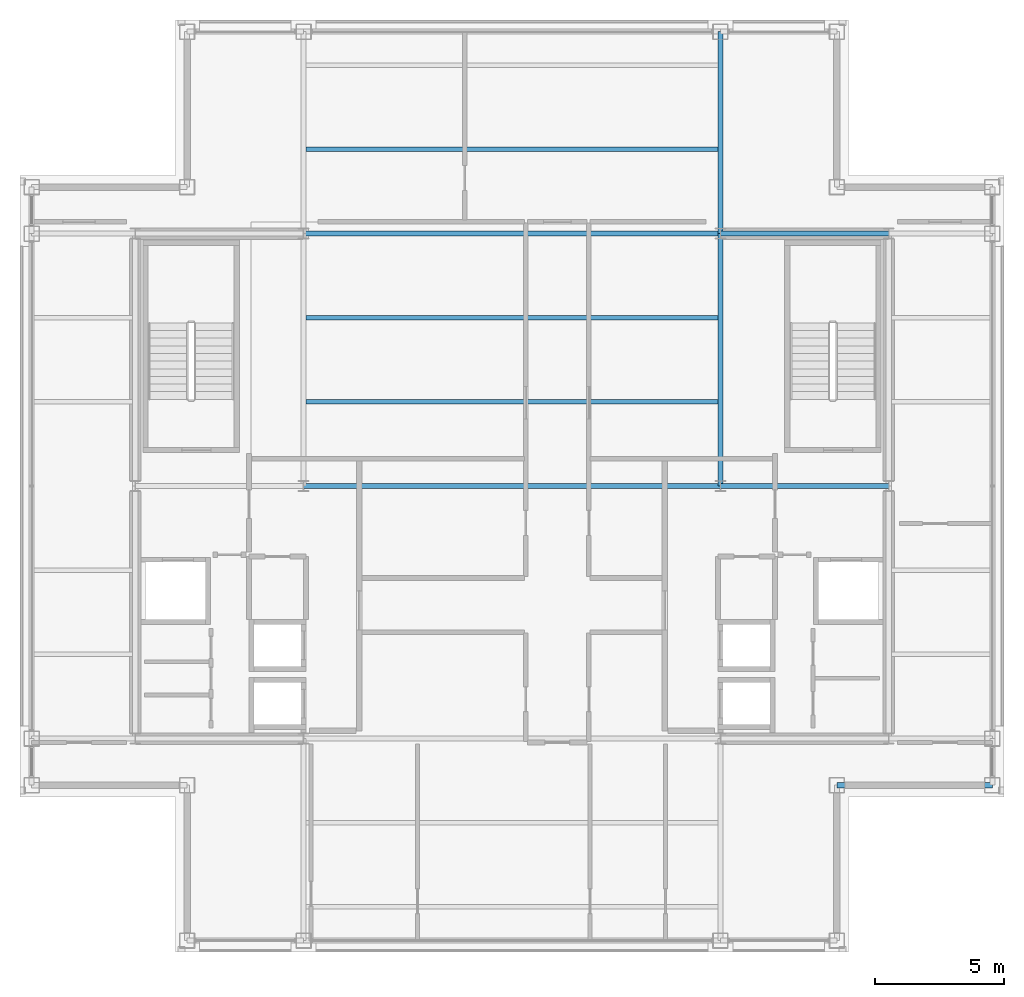
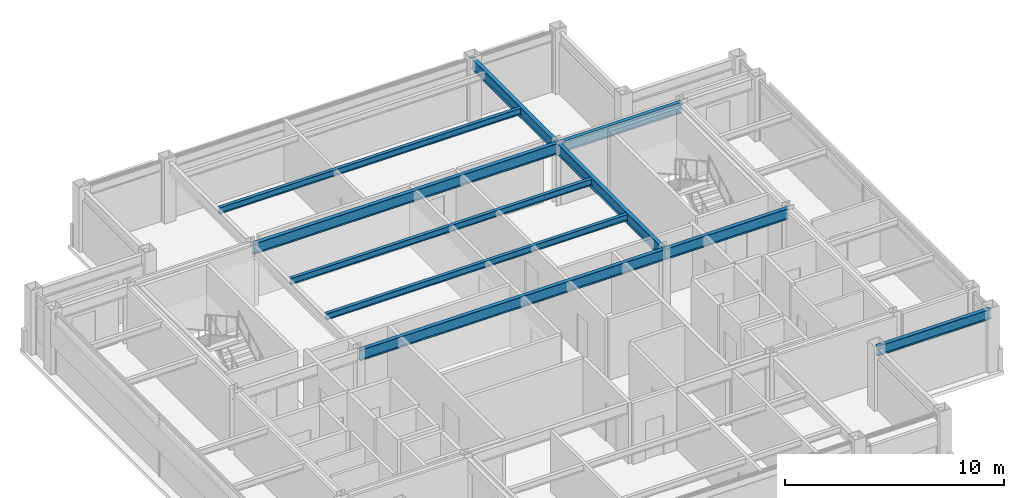
# One storey, part 9 of 20: 10 beams.
"""IFC4 building model written with IfcOpenShell, lengths in metres."""

from ifc_helpers import new_model, si_unit, direction, frame, origin, origin_2d, place, context, subcontext, project, spatial, i_section, extrude, material, material_profile, profile_set, type_object, element, save


model = new_model("IFC4")

# Units and contexts
model_context = context("Model", 3, precision=1e-05, world=origin(), true_north=direction((0.0, 1.0)))
body_context = subcontext(model_context, "Body", "Model", "MODEL_VIEW")
ifc_project = project(units=[si_unit("LENGTHUNIT", "METRE"), si_unit("AREAUNIT", "SQUARE_METRE"), si_unit("VOLUMEUNIT", "CUBIC_METRE"), si_unit("PLANEANGLEUNIT", "RADIAN"), si_unit("MASSUNIT", "GRAM", prefix="KILO")], contexts=[model_context])

# Site, building, storey
site_placement = place(None, origin())
site = spatial("IfcSite", under=ifc_project, at=site_placement, CompositionType="ELEMENT")
building_placement = place(site_placement, origin())
building = spatial("IfcBuilding", under=site, at=building_placement, Name="Brelmoor Portico Tower", CompositionType="ELEMENT")
storey_placement = place(building_placement, frame((0.0, 0.0, 272.39990234375)))
storey = spatial("IfcBuildingStorey", under=building, at=storey_placement, Name="L72", CompositionType="ELEMENT", Elevation=272.39990234375)

# Beams
ifc_material = material(Name="Steel Q355B", Category="steel")
ifc_material_profile_1 = material_profile(ifc_material, i_section(OverallWidth=0.175048828125, OverallDepth=0.35009765625, WebThickness=0.007080078125, FlangeThickness=0.010986328125, at=origin_2d()), Name="HN 350x175x7x11")
ifc_profile_set_1 = profile_set([ifc_material_profile_1], Name="Steel Q355B")
beam_type_1 = type_object("IfcBeamType", Name="BM-JS-350", PredefinedType="JOIST", material=ifc_profile_set_1)
for number, where, z_axis, x_axis, name in (
    (1, (-7.949951171875, 3.25, 3.22509765625), (1.0, 0.0, 0.0), (0.0, 1.0, 0.0), "L72 Secondary Composite Joist JS-C03"),
    (2, (-7.949951171875, 6.5, 3.22509765625), (1.0, 0.0, 0.0), (0.0, 1.0, 0.0), "L72 Secondary Composite Joist JS-C04"),
    (3, (-7.949951171875, 13.0, 3.22509765625), (1.0, 0.0, 0.0), (0.0, 1.0, 0.0), "L72 Secondary Composite Joist JS-C05"),
):
    element("IfcBeam", number, at=place(storey_placement, frame(where, z_axis=z_axis, x_axis=x_axis)), inside=storey, type_object=beam_type_1, Name=name, PredefinedType="JOIST", context=body_context, shape_type="SweptSolid", body=[
        extrude(i_section(OverallWidth=0.175048828125, OverallDepth=0.35009765625, WebThickness=0.007080078125, FlangeThickness=0.010986328125, at=origin_2d()), origin(), (0.0, 0.0, 1.0), 15.89990234375),
    ])
ifc_material_profile_2 = material_profile(ifc_material, i_section(OverallWidth=0.199951171875, OverallDepth=0.60009765625, WebThickness=0.010986328125, FlangeThickness=0.01708984375, at=origin_2d()), Name="HN 600x200x11x17")
ifc_profile_set_2 = profile_set([ifc_material_profile_2], Name="Steel Q355B")
beam_type_2 = type_object("IfcBeamType", Name="BM-PG-600", PredefinedType="BEAM", material=ifc_profile_set_2)
beam_1_placement = place(storey_placement, frame((8.050048828125, 0.0, 3.10009765625), z_axis=(0.0, 1.0, 0.0), x_axis=(-1.0, 0.0, 0.0)))
element("IfcBeam", 4, at=beam_1_placement, inside=storey, type_object=beam_type_2, Name="L72 Primary Floor Girder PG-07", PredefinedType="BEAM", context=body_context, shape_type="SweptSolid", body=[
    extrude(i_section(OverallWidth=0.199951171875, OverallDepth=0.60009765625, WebThickness=0.010986328125, FlangeThickness=0.01708984375, at=origin_2d()), origin(), (0.0, 0.0, 1.0), 9.75),
])
beam_2_placement = place(storey_placement, frame((8.050048828125, 9.75, 3.10009765625), z_axis=(0.0, 1.0, 0.0), x_axis=(-1.0, 0.0, 0.0)))
element("IfcBeam", 5, at=beam_2_placement, inside=storey, type_object=beam_type_2, Name="L72 Primary Floor Girder PG-08", PredefinedType="BEAM", context=body_context, shape_type="SweptSolid", body=[
    extrude(i_section(OverallWidth=0.199951171875, OverallDepth=0.60009765625, WebThickness=0.010986328125, FlangeThickness=0.01708984375, at=origin_2d()), origin(), (0.0, 0.0, 1.0), 7.800048828125),
])
beam_3_placement = place(storey_placement, frame((-8.050048828125, 0.0, 3.10009765625), z_axis=(1.0, 0.0, 0.0), x_axis=(0.0, 1.0, 0.0)))
element("IfcBeam", 6, at=beam_3_placement, inside=storey, type_object=beam_type_2, Name="L72 Primary Floor Girder PG-17", PredefinedType="BEAM", context=body_context, shape_type="SweptSolid", body=[
    extrude(i_section(OverallWidth=0.199951171875, OverallDepth=0.60009765625, WebThickness=0.010986328125, FlangeThickness=0.01708984375, at=origin_2d()), origin(), (0.0, 0.0, 1.0), 16.10009765625),
])
beam_4_placement = place(storey_placement, frame((8.050048828125, 0.0, 3.10009765625), z_axis=(1.0, 0.0, 0.0), x_axis=(0.0, 1.0, 0.0)))
element("IfcBeam", 7, at=beam_4_placement, inside=storey, type_object=beam_type_2, Name="L72 Primary Floor Girder PG-18", PredefinedType="BEAM", context=body_context, shape_type="SweptSolid", body=[
    extrude(i_section(OverallWidth=0.199951171875, OverallDepth=0.60009765625, WebThickness=0.010986328125, FlangeThickness=0.01708984375, at=origin_2d()), origin(), (0.0, 0.0, 1.0), 6.5),
])
beam_5_placement = place(storey_placement, frame((-8.050048828125, 9.75, 3.10009765625), z_axis=(1.0, 0.0, 0.0), x_axis=(0.0, 1.0, 0.0)))
element("IfcBeam", 8, at=beam_5_placement, inside=storey, type_object=beam_type_2, Name="L72 Primary Floor Girder PG-21", PredefinedType="BEAM", context=body_context, shape_type="SweptSolid", body=[
    extrude(i_section(OverallWidth=0.199951171875, OverallDepth=0.60009765625, WebThickness=0.010986328125, FlangeThickness=0.01708984375, at=origin_2d()), origin(), (0.0, 0.0, 1.0), 16.10009765625),
])
beam_6_placement = place(storey_placement, frame((8.050048828125, 9.75, 3.10009765625), z_axis=(1.0, 0.0, 0.0), x_axis=(0.0, 1.0, 0.0)))
element("IfcBeam", 9, at=beam_6_placement, inside=storey, type_object=beam_type_2, Name="L72 Primary Floor Girder PG-22", PredefinedType="BEAM", context=body_context, shape_type="SweptSolid", body=[
    extrude(i_section(OverallWidth=0.199951171875, OverallDepth=0.60009765625, WebThickness=0.010986328125, FlangeThickness=0.01708984375, at=origin_2d()), origin(), (0.0, 0.0, 1.0), 6.5),
])
ifc_material_profile_3 = material_profile(ifc_material, i_section(OverallWidth=0.199951171875, OverallDepth=0.550048828125, WebThickness=0.010009765625, FlangeThickness=0.01611328125, at=origin_2d()), Name="HN 550x200x10x16")
ifc_profile_set_3 = profile_set([ifc_material_profile_3], Name="Steel Q355B")
beam_type_3 = type_object("IfcBeamType", Name="BM-SP-550", PredefinedType="SPANDREL", material=ifc_profile_set_3)
beam_7_placement = place(storey_placement, frame((12.550048828125, -11.550048828125, 3.125), z_axis=(1.0, 0.0, 0.0), x_axis=(0.0, 1.0, 0.0)))
element("IfcBeam", 10, at=beam_7_placement, inside=storey, type_object=beam_type_3, Name="L72 Perimeter Spandrel Beam SP-05", PredefinedType="SPANDREL", context=body_context, shape_type="SweptSolid", body=[
    extrude(i_section(OverallWidth=0.199951171875, OverallDepth=0.550048828125, WebThickness=0.010009765625, FlangeThickness=0.01611328125, at=origin_2d()), origin(), (0.0, 0.0, 1.0), 6.0),
])

save(model, "model.ifc")
